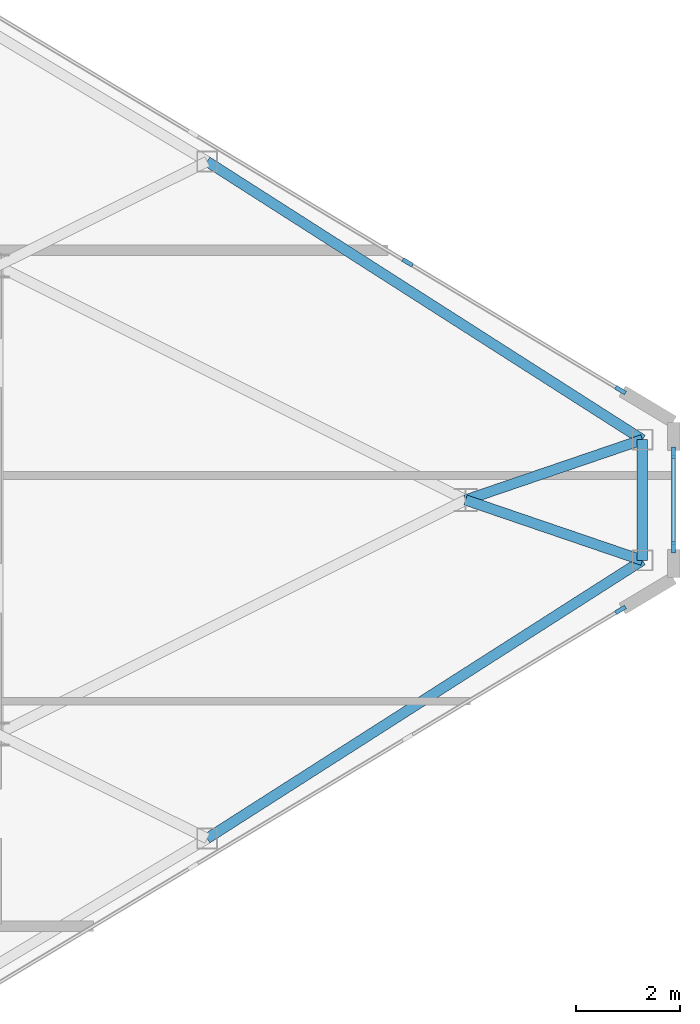
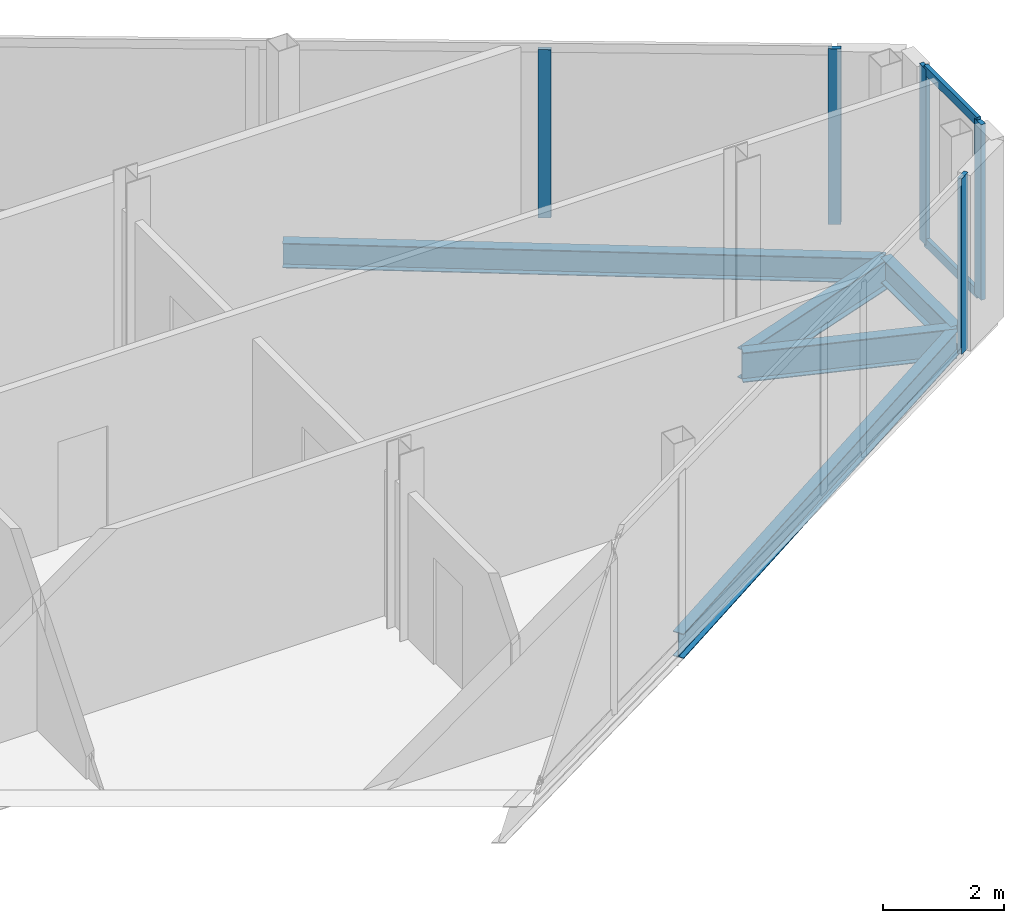
# One storey, part 18 of 29: 7 members, 5 beams, 3 elements without a shape of their own.
"""IFC4 building model written with IfcOpenShell, lengths in metres."""

from ifc_helpers import new_model, si_unit, direction, frame, origin, origin_2d, place, context, subcontext, project, spatial, rectangle, i_section, extrude, source, transform, mapped, material, layer, layer_set, material_profile, profile_set, type_object, type_shapes, element, aggregate, save


model = new_model("IFC4")

# Units and contexts
model_context = context("Model", 3, precision=1e-05, world=origin(), true_north=direction((0.0, 1.0)))
body_context = subcontext(model_context, "Body", "Model", "MODEL_VIEW")
ifc_project = project(units=[si_unit("LENGTHUNIT", "METRE"), si_unit("AREAUNIT", "SQUARE_METRE"), si_unit("VOLUMEUNIT", "CUBIC_METRE"), si_unit("PLANEANGLEUNIT", "RADIAN"), si_unit("MASSUNIT", "GRAM", prefix="KILO")], contexts=[model_context])

# Site, building, storey
site_placement = place(None, origin())
site = spatial("IfcSite", under=ifc_project, at=site_placement, CompositionType="ELEMENT")
building_placement = place(site_placement, origin())
building = spatial("IfcBuilding", under=site, at=building_placement, Name="Seokmaru Belvedere", CompositionType="ELEMENT")
storey_placement = place(building_placement, frame((0.0, 0.0, 254.39990234375)))
storey = spatial("IfcBuildingStorey", under=building, at=storey_placement, Name="L67", CompositionType="ELEMENT", Elevation=254.39990234375)

# Beams
ifc_material_1 = material(Name="Steel SM355 (355 MPa)", Category="steel")
ifc_material_profile_1 = material_profile(ifc_material_1, i_section(OverallWidth=0.199951171875, OverallDepth=0.5, WebThickness=0.010009765625, FlangeThickness=0.01611328125, at=origin_2d()), Name="H-500x200x10x16")
ifc_profile_set_1 = profile_set([ifc_material_profile_1], Name="Steel SM355 (355 MPa)")
beam_type_1 = type_object("IfcBeamType", Name="Perimeter Spandrel Beam H-500", PredefinedType="SPANDREL", material=ifc_profile_set_1)
shared_shape_1 = source(origin(), body_context, "Body", "SweptSolid", [
    extrude(i_section(OverallWidth=0.199951171875, OverallDepth=0.5, WebThickness=0.010009765625, FlangeThickness=0.01611328125, at=origin_2d()), origin(), (0.0, 0.0, 1.0), 9.932861328125),
])
for number, where, z_axis, x_axis, name in (
    (1, (58.530029296875, -6.5087890625, -0.469970703125), (0.842651960357, 0.538458609093, 0.0), (-0.538458609093, 0.842651960357, 0.0), "L67 E Faceted Flank Spandrel S-4"),
    (2, (58.530029296875, 6.5087890625, -0.469970703125), (0.842651960357, -0.538458609093, 0.0), (0.538458609093, 0.842651960357, 0.0), "L67 E Faceted Flank Spandrel N-4"),
):
    element("IfcBeam", number, at=place(storey_placement, frame(where, z_axis=z_axis, x_axis=x_axis)), inside=storey, type_object=beam_type_1, Name=name, PredefinedType="SPANDREL", context=body_context, shape_type="MappedRepresentation", body=[
        mapped(shared_shape_1, transform((0.0, 0.0, 0.0), scale=1.0)),
    ])
shared_shape_2 = source(origin(), body_context, "Body", "SweptSolid", [
    extrude(i_section(OverallWidth=0.199951171875, OverallDepth=0.5, WebThickness=0.010009765625, FlangeThickness=0.01611328125, at=origin_2d()), origin(), (0.0, 0.0, 1.0), 2.32080078125),
])
type_shapes(beam_type_1, [shared_shape_1, shared_shape_2])
beam_placement = place(storey_placement, frame((66.89990234375, -1.160400390625, -0.469970703125), z_axis=(0.0, 1.0, 0.0), x_axis=(-1.0, 0.0, 0.0)))
element("IfcBeam", 3, at=beam_placement, inside=storey, type_object=beam_type_1, Name="L67 E Faceted Apex Spandrel", PredefinedType="SPANDREL", context=body_context, shape_type="MappedRepresentation", body=[
    mapped(shared_shape_2, transform((0.0, 0.0, 0.0), scale=1.0)),
])
ifc_material_profile_2 = material_profile(ifc_material_1, i_section(OverallWidth=0.199951171875, OverallDepth=0.60009765625, WebThickness=0.010986328125, FlangeThickness=0.01708984375, at=origin_2d()), Name="H-600x200x11x17")
ifc_profile_set_2 = profile_set([ifc_material_profile_2], Name="Steel SM355 (355 MPa)")
beam_type_2 = type_object("IfcBeamType", Name="Primary Floor Girder H-600", PredefinedType="BEAM", material=ifc_profile_set_2)
shared_shape_3 = source(origin(), body_context, "Body", "SweptSolid", [
    extrude(i_section(OverallWidth=0.199951171875, OverallDepth=0.60009765625, WebThickness=0.010986328125, FlangeThickness=0.01708984375, at=origin_2d()), origin(), (0.0, 0.0, 1.0), 3.592529296875),
])
type_shapes(beam_type_2, [shared_shape_3])
for number, where, z_axis, x_axis, name in (
    (4, (66.89990234375, -1.160400390625, -0.52001953125), (-0.946395973048, 0.323008764893, 0.0), (-0.323008764893, -0.946395973048, 0.0), "L67 E Apex Radial Floor Girder 1"),
    (5, (66.89990234375, 1.160400390625, -0.52001953125), (-0.946395973048, -0.323008764893, 0.0), (0.323008764893, -0.946395973048, 0.0), "L67 E Apex Radial Floor Girder 2"),
):
    element("IfcBeam", number, at=place(storey_placement, frame(where, z_axis=z_axis, x_axis=x_axis)), inside=storey, type_object=beam_type_2, Name=name, PredefinedType="BEAM", context=body_context, shape_type="MappedRepresentation", body=[
        mapped(shared_shape_3, transform((0.0, 0.0, 0.0), scale=1.0)),
    ])

# Curtain wall, members
ifc_material_2 = material(Name="Bronze Triple Insulating Glass", Category="glass")
ifc_layer = layer(ifc_material_2, 0.219970703125)
ifc_layer_set = layer_set([ifc_layer], Name="Bronze Triple Insulating Glass")
curtain_wall_type = type_object("IfcCurtainWallType", Name="Sky-Gate Bridge Panorama Curtain Wall System CW-6", PredefinedType="NOTDEFINED", material=ifc_layer_set)
curtain_wall_1_placement = place(storey_placement, origin())
curtain_wall_1 = element("IfcCurtainWall", 6, at=curtain_wall_1_placement, inside=storey, type_object=curtain_wall_type, Name="L67 Curtain Wall EF2", PredefinedType="NOTDEFINED")
ifc_material_3 = material(Name="Anodised Bronze Aluminium", Category="aluminium")
ifc_material_profile_3 = material_profile(ifc_material_3, rectangle(XDim=0.074951171875, YDim=0.179931640625, at=origin_2d()), Name="CW-T-75x180")
ifc_profile_set_3 = profile_set([ifc_material_profile_3], Name="Anodised Bronze Aluminium")
member_type_1 = type_object("IfcMemberType", Name="Bronze Unitised Transom 75x180", PredefinedType="USERDEFINED", material=ifc_profile_set_3)
shared_shape_4 = source(origin(), body_context, "Body", "SweptSolid", [
    extrude(rectangle(XDim=0.074951171875, YDim=0.179931640625, at=origin_2d()), origin(), (0.0, 0.0, 1.0), 1.740234375),
])
type_shapes(member_type_1, [shared_shape_4])
member_1_placement = place(storey_placement, frame((67.5, -0.8701171875, 0.03759765625), z_axis=(0.0, 1.0, 0.0), x_axis=(-1.0, 0.0, 0.0)))
member_1 = element("IfcMember", 7, at=member_1_placement, type_object=member_type_1, Name="CW:L67:EF2 Continuous Transom 1", ObjectType="TRANSOM", PredefinedType="USERDEFINED", context=body_context, shape_type="MappedRepresentation", body=[
    mapped(shared_shape_4, transform((0.0, 0.0, 0.0), scale=1.0)),
])
member_2_placement = place(storey_placement, frame((67.5, -0.8701171875, 3.49267578125), z_axis=(0.0, 1.0, 0.0), x_axis=(-1.0, 0.0, 0.0)))
member_2 = element("IfcMember", 8, at=member_2_placement, type_object=member_type_1, Name="CW:L67:EF2 Continuous Transom 2", ObjectType="TRANSOM", PredefinedType="USERDEFINED", context=body_context, shape_type="MappedRepresentation", body=[
    mapped(shared_shape_4, transform((0.0, 0.0, 0.0), scale=1.0)),
])

# Curtain wall, member
curtain_wall_2_placement = place(storey_placement, origin())
curtain_wall_2 = element("IfcCurtainWall", 9, at=curtain_wall_2_placement, inside=storey, type_object=curtain_wall_type, Name="L67 Curtain Wall EF1", PredefinedType="NOTDEFINED")
ifc_material_profile_4 = material_profile(ifc_material_3, rectangle(XDim=0.080078125, YDim=0.219970703125, at=origin_2d()), Name="CW-M-80x220")
ifc_profile_set_4 = profile_set([ifc_material_profile_4], Name="Anodised Bronze Aluminium")
member_type_2 = type_object("IfcMemberType", Name="Bronze Unitised Mullion 80x220", PredefinedType="MULLION", material=ifc_profile_set_4)
shared_shape_5 = source(origin(), body_context, "Body", "SweptSolid", [
    extrude(rectangle(XDim=0.080078125, YDim=0.219970703125, at=origin_2d()), origin(), (0.0, 0.0, 1.0), 3.530029296875),
])
member_3_placement = place(storey_placement, frame((66.4794921875, -2.1123046875, 0.0), z_axis=(0.0, 0.0, 1.0), x_axis=(-0.514494909364, 0.85749343335, 0.0)))
member_3 = element("IfcMember", 10, at=member_3_placement, type_object=member_type_2, Name="CW:L67:EF1 Mullion 9", PredefinedType="MULLION", context=body_context, shape_type="MappedRepresentation", body=[
    mapped(shared_shape_5, transform((0.0, 0.0, 0.0), scale=1.0)),
])
aggregate(curtain_wall_2, [member_3])

# Member
member_4_placement = place(storey_placement, frame((67.5, -0.909912109375, 0.0), z_axis=(0.0, 0.0, 1.0), x_axis=(-1.0, 0.0, 0.0)))
member_4 = element("IfcMember", 11, at=member_4_placement, type_object=member_type_2, Name="CW:L67:EF2 Mullion 1", PredefinedType="MULLION", context=body_context, shape_type="MappedRepresentation", body=[
    mapped(shared_shape_5, transform((0.0, 0.0, 0.0), scale=1.0)),
])

member_5_placement = place(storey_placement, frame((67.5, 0.909912109375, 0.0), z_axis=(0.0, 0.0, 1.0), x_axis=(-1.0, 0.0, 0.0)))
member_5 = element("IfcMember", 12, at=member_5_placement, type_object=member_type_2, Name="CW:L67:EF2 Mullion 2", PredefinedType="MULLION", context=body_context, shape_type="MappedRepresentation", body=[
    mapped(shared_shape_5, transform((0.0, 0.0, 0.0), scale=1.0)),
])

aggregate(curtain_wall_1, [member_4, member_5, member_1, member_2])

# Curtain wall, members
curtain_wall_3_placement = place(storey_placement, origin())
curtain_wall_3 = element("IfcCurtainWall", 13, at=curtain_wall_3_placement, inside=storey, type_object=curtain_wall_type, Name="L67 Curtain Wall EF3", PredefinedType="NOTDEFINED")
member_6_placement = place(storey_placement, frame((66.4794921875, 2.1123046875, 0.0), z_axis=(0.0, 0.0, 1.0), x_axis=(-0.514494909364, -0.85749343335, 0.0)))
member_6 = element("IfcMember", 14, at=member_6_placement, type_object=member_type_2, Name="CW:L67:EF3 Mullion 1", PredefinedType="MULLION", context=body_context, shape_type="MappedRepresentation", body=[
    mapped(shared_shape_5, transform((0.0, 0.0, 0.0), scale=1.0)),
])
shared_shape_6 = source(origin(), body_context, "Body", "SweptSolid", [
    extrude(rectangle(XDim=0.080078125, YDim=0.219970703125, at=origin_2d()), origin(), (0.0, 0.0, 1.0), 3.3798828125),
])
type_shapes(member_type_2, [shared_shape_5, shared_shape_6])
member_7_placement = place(storey_placement, frame((62.385498046875, 4.56884765625, 0.0751953125), z_axis=(0.0, 0.0, 1.0), x_axis=(-0.514494909364, -0.85749343335, 0.0)))
member_7 = element("IfcMember", 15, at=member_7_placement, type_object=member_type_2, Name="CW:L67:EF3 Mullion 2", PredefinedType="MULLION", context=body_context, shape_type="MappedRepresentation", body=[
    mapped(shared_shape_6, transform((0.0, 0.0, 0.0), scale=1.0)),
])
aggregate(curtain_wall_3, [member_6, member_7])

save(model, "model.ifc")
